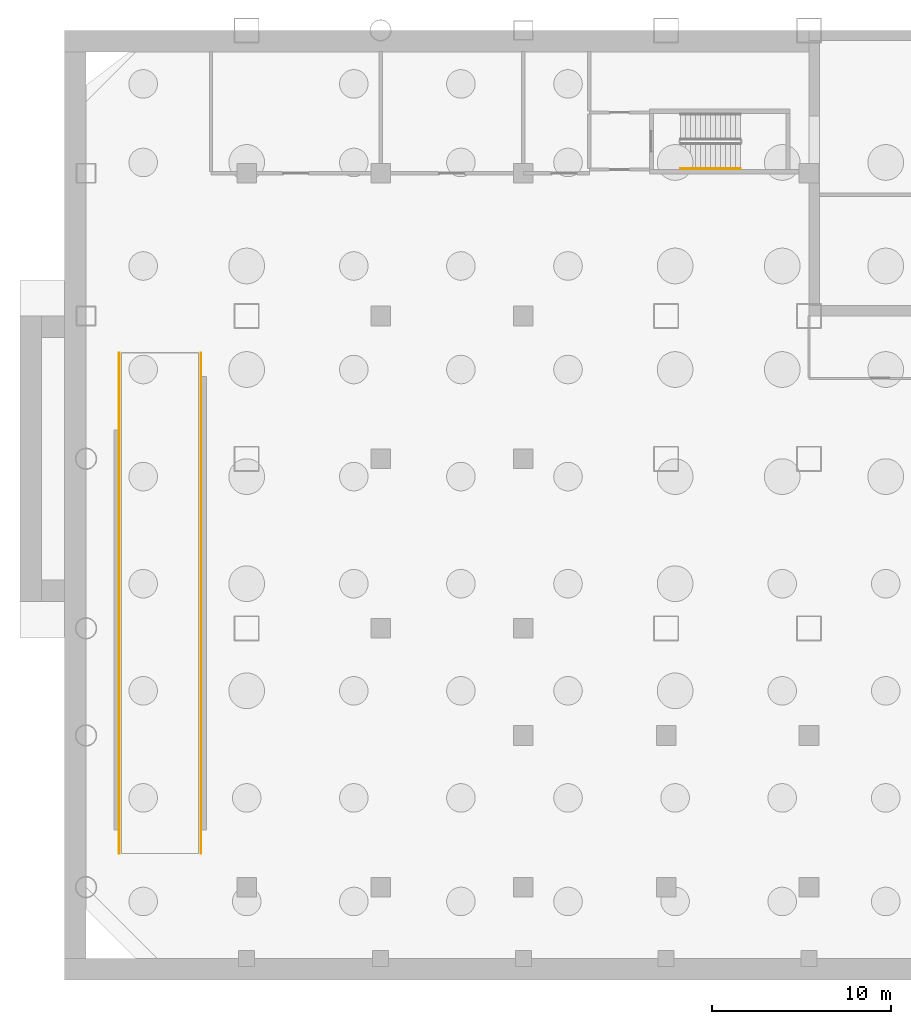
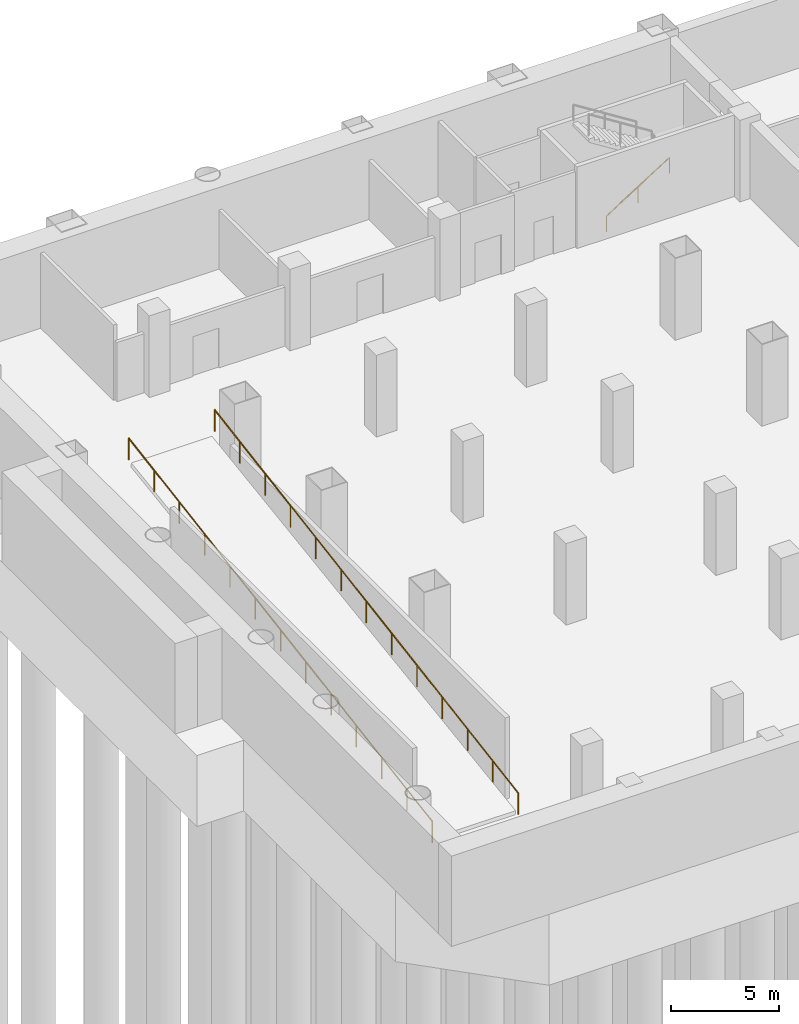
# One storey, part 5 of 8: 3 railings.
"""IFC4 building model written with IfcOpenShell, lengths in metres."""

from ifc_helpers import new_model, si_unit, direction, frame, origin, origin_2d, place, context, subcontext, project, spatial, circle, extrude, material, type_object, element, save


model = new_model("IFC4")

# Units and contexts
model_context = context("Model", 3, precision=1e-05, world=origin(), true_north=direction((0.0, 1.0)))
body_context = subcontext(model_context, "Body", "Model", "MODEL_VIEW")
ifc_project = project(units=[si_unit("LENGTHUNIT", "METRE"), si_unit("AREAUNIT", "SQUARE_METRE"), si_unit("VOLUMEUNIT", "CUBIC_METRE"), si_unit("PLANEANGLEUNIT", "RADIAN"), si_unit("MASSUNIT", "GRAM", prefix="KILO")], contexts=[model_context])

# Site, building, storey
site_placement = place(None, origin())
site = spatial("IfcSite", under=ifc_project, at=site_placement, CompositionType="ELEMENT")
building_placement = place(site_placement, origin())
building = spatial("IfcBuilding", under=site, at=building_placement, Name="Qianrong Seaharbour Tower", CompositionType="ELEMENT")
storey_placement = place(building_placement, frame((0.0, 0.0, -13.800048828125)))
storey = spatial("IfcBuildingStorey", under=building, at=storey_placement, Name="B03", CompositionType="ELEMENT", Elevation=-13.800048828125)

# Railings
ifc_material_1 = material(Name="Galvanized painted steel SN400B stair guard", Category="steel")
railing_type_1 = type_object("IfcRailingType", Name="RAIL-STAIR-GUARD-1220", PredefinedType="GUARDRAIL", material=ifc_material_1)
railing_1_placement = place(storey_placement, frame((1.860107421875, 5.8798828125, 0.0)))
element("IfcRailing", 1, at=railing_1_placement, inside=storey, type_object=railing_type_1, Name="B03 Vehicular Ramp Slab Side Safety Guard W", PredefinedType="GUARDRAIL", context=body_context, shape_type="SweptSolid", body=[
    extrude(circle(Radius=0.02392578125, at=origin_2d()), frame((0.0, 0.0, 1.19580078125), z_axis=(0.0, 0.98680872491, 0.161890519928), x_axis=(-1.0, 0.0, 0.0)), (0.0, 0.0, 1.0), 28.414794921875),
    extrude(circle(Radius=0.02099609375, at=origin_2d()), origin(), (0.0, 0.0, 1.0), 1.171875),
    extrude(circle(Radius=0.02099609375, at=origin_2d()), frame((0.0, 2.336669921875, 0.38330078125)), (0.0, 0.0, 1.0), 1.171875),
    extrude(circle(Radius=0.02099609375, at=origin_2d()), frame((0.0, 4.67333984375, 0.7666015625)), (0.0, 0.0, 1.0), 1.171875),
    extrude(circle(Radius=0.02099609375, at=origin_2d()), frame((0.0, 7.010009765625, 1.14990234375)), (0.0, 0.0, 1.0), 1.171875),
    extrude(circle(Radius=0.02099609375, at=origin_2d()), frame((0.0, 9.3466796875, 1.533447265625)), (0.0, 0.0, 1.0), 1.171875),
    extrude(circle(Radius=0.02099609375, at=origin_2d()), frame((0.0, 11.683349609375, 1.916748046875)), (0.0, 0.0, 1.0), 1.171875),
    extrude(circle(Radius=0.02099609375, at=origin_2d()), frame((0.0, 14.02001953125, 2.300048828125)), (0.0, 0.0, 1.0), 1.171875),
    extrude(circle(Radius=0.02099609375, at=origin_2d()), frame((0.0, 16.356689453125, 2.683349609375)), (0.0, 0.0, 1.0), 1.171875),
    extrude(circle(Radius=0.02099609375, at=origin_2d()), frame((0.0, 18.693359375, 3.066650390625)), (0.0, 0.0, 1.0), 1.171875),
    extrude(circle(Radius=0.02099609375, at=origin_2d()), frame((0.0, 21.030029296875, 3.4501953125)), (0.0, 0.0, 1.0), 1.171875),
    extrude(circle(Radius=0.02099609375, at=origin_2d()), frame((0.0, 23.36669921875, 3.83349609375)), (0.0, 0.0, 1.0), 1.171875),
    extrude(circle(Radius=0.02099609375, at=origin_2d()), frame((0.0, 25.703369140625, 4.216796875)), (0.0, 0.0, 1.0), 1.171875),
    extrude(circle(Radius=0.02099609375, at=origin_2d()), frame((0.0, 28.0400390625, 4.60009765625)), (0.0, 0.0, 1.0), 1.171875),
])
railing_2_placement = place(storey_placement, frame((6.43994140625, 5.8798828125, 0.0)))
element("IfcRailing", 2, at=railing_2_placement, inside=storey, type_object=railing_type_1, Name="B03 Vehicular Ramp Slab Side Safety Guard E", PredefinedType="GUARDRAIL", context=body_context, shape_type="SweptSolid", body=[
    extrude(circle(Radius=0.02392578125, at=origin_2d()), frame((0.0, 0.0, 1.19580078125), z_axis=(0.0, 0.98680872491, 0.161890519928), x_axis=(-1.0, 0.0, 0.0)), (0.0, 0.0, 1.0), 28.414794921875),
    extrude(circle(Radius=0.02099609375, at=origin_2d()), origin(), (0.0, 0.0, 1.0), 1.171875),
    extrude(circle(Radius=0.02099609375, at=origin_2d()), frame((0.0, 2.336669921875, 0.38330078125)), (0.0, 0.0, 1.0), 1.171875),
    extrude(circle(Radius=0.02099609375, at=origin_2d()), frame((0.0, 4.67333984375, 0.7666015625)), (0.0, 0.0, 1.0), 1.171875),
    extrude(circle(Radius=0.02099609375, at=origin_2d()), frame((0.0, 7.010009765625, 1.14990234375)), (0.0, 0.0, 1.0), 1.171875),
    extrude(circle(Radius=0.02099609375, at=origin_2d()), frame((0.0, 9.3466796875, 1.533447265625)), (0.0, 0.0, 1.0), 1.171875),
    extrude(circle(Radius=0.02099609375, at=origin_2d()), frame((0.0, 11.683349609375, 1.916748046875)), (0.0, 0.0, 1.0), 1.171875),
    extrude(circle(Radius=0.02099609375, at=origin_2d()), frame((0.0, 14.02001953125, 2.300048828125)), (0.0, 0.0, 1.0), 1.171875),
    extrude(circle(Radius=0.02099609375, at=origin_2d()), frame((0.0, 16.356689453125, 2.683349609375)), (0.0, 0.0, 1.0), 1.171875),
    extrude(circle(Radius=0.02099609375, at=origin_2d()), frame((0.0, 18.693359375, 3.066650390625)), (0.0, 0.0, 1.0), 1.171875),
    extrude(circle(Radius=0.02099609375, at=origin_2d()), frame((0.0, 21.030029296875, 3.4501953125)), (0.0, 0.0, 1.0), 1.171875),
    extrude(circle(Radius=0.02099609375, at=origin_2d()), frame((0.0, 23.36669921875, 3.83349609375)), (0.0, 0.0, 1.0), 1.171875),
    extrude(circle(Radius=0.02099609375, at=origin_2d()), frame((0.0, 25.703369140625, 4.216796875)), (0.0, 0.0, 1.0), 1.171875),
    extrude(circle(Radius=0.02099609375, at=origin_2d()), frame((0.0, 28.0400390625, 4.60009765625)), (0.0, 0.0, 1.0), 1.171875),
])
ifc_material_2 = material(Name="Stainless steel SUS316L continuous handrail", Category="steel")
railing_type_2 = type_object("IfcRailingType", Name="RAIL-STAIR-HANDRAIL-900", PredefinedType="HANDRAIL", material=ifc_material_2)
railing_3_placement = place(storey_placement, frame((33.300048828125, 44.25, 0.177001953125)))
element("IfcRailing", 3, at=railing_3_placement, inside=storey, type_object=railing_type_2, Name="B03 BST-1 stair handrail 1", PredefinedType="HANDRAIL", context=body_context, shape_type="SweptSolid", body=[
    extrude(circle(Radius=0.02392578125, at=origin_2d()), frame((0.0, 0.0, 0.8759765625), z_axis=(0.845372108799, 0.0, 0.534177870812), x_axis=(0.0, 1.0, 0.0)), (0.0, 0.0, 1.0), 3.974365234375),
    extrude(circle(Radius=0.02099609375, at=origin_2d()), origin(), (0.0, 0.0, 1.0), 0.851806640625),
    extrude(circle(Radius=0.02099609375, at=origin_2d()), frame((1.679931640625, 0.0, 1.0615234375)), (0.0, 0.0, 1.0), 0.851806640625),
    extrude(circle(Radius=0.02099609375, at=origin_2d()), frame((3.35986328125, 0.0, 2.123046875)), (0.0, 0.0, 1.0), 0.851806640625),
])

save(model, "model.ifc")
